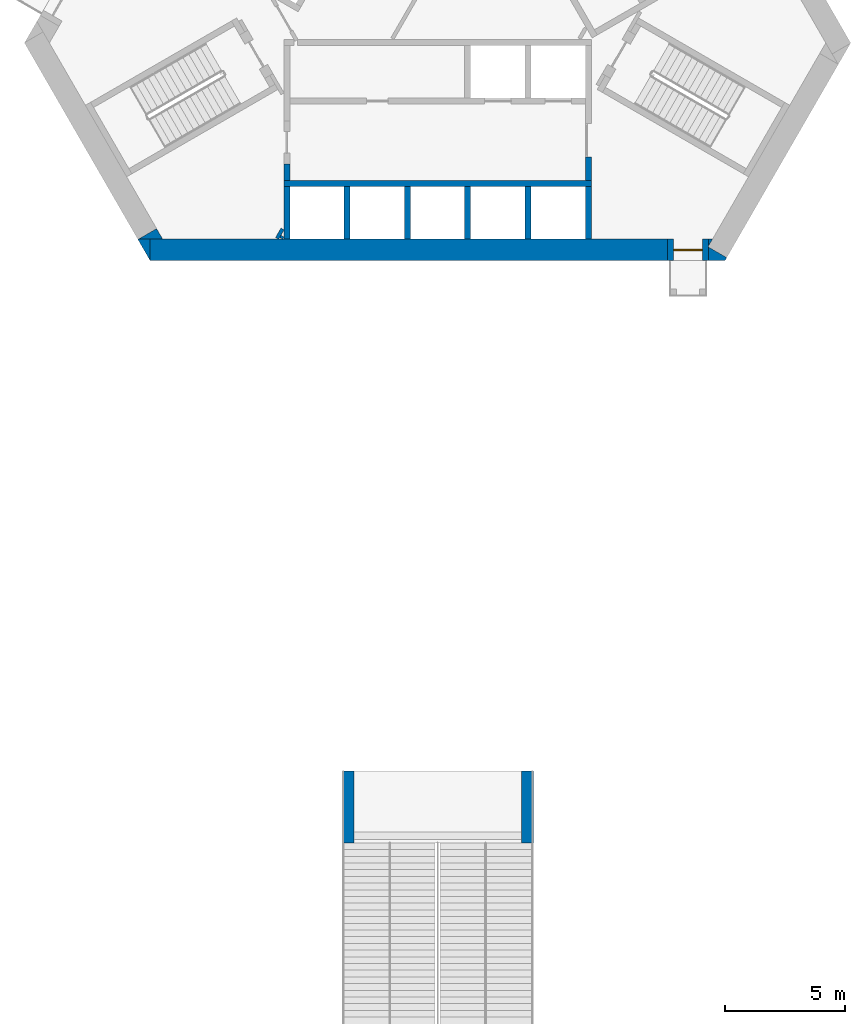
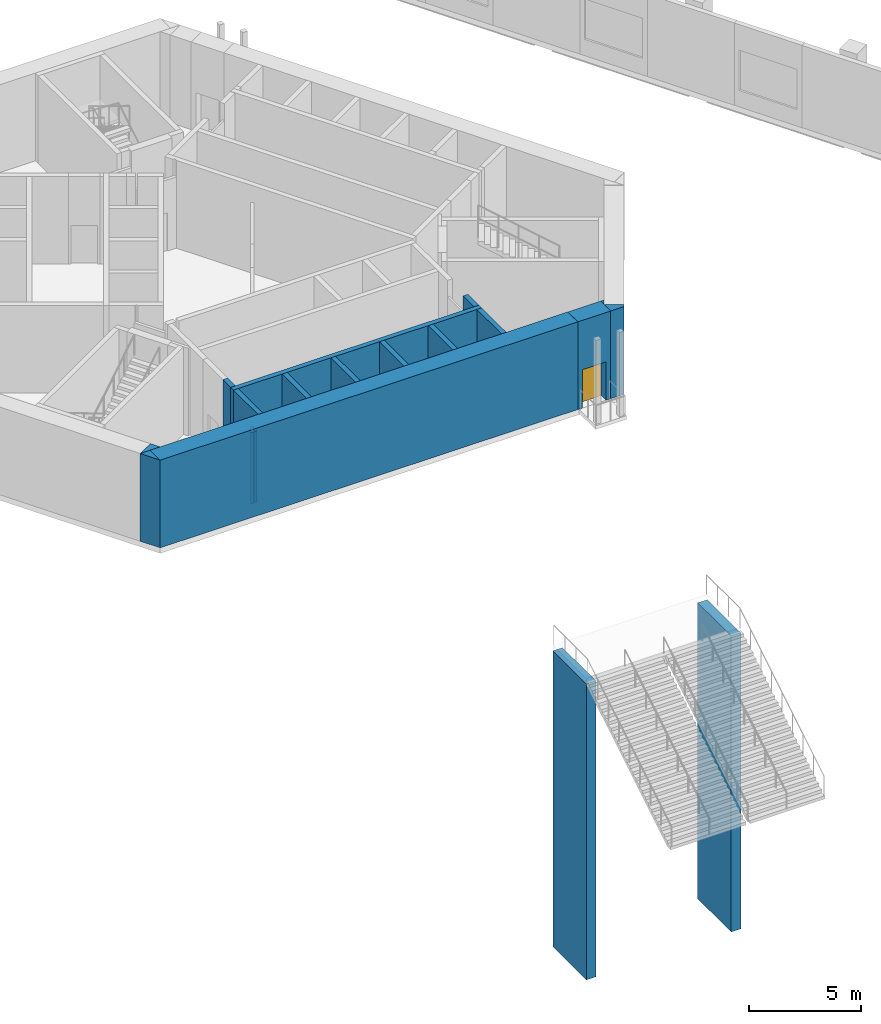
# One storey, part 8 of 28: 19 walls, 1 door, 1 opening.
"""IFC4 building model written with IfcOpenShell, lengths in metres."""

from ifc_helpers import new_model, si_unit, direction, frame, frame_2d, origin, place, context, subcontext, project, spatial, polyline, rectangle, outline, extrude, material, layer, layer_set, type_object, element, fill, save


model = new_model("IFC4")

# Units and contexts
model_context = context("Model", 3, precision=1e-05, world=origin(), true_north=direction((0.0, 1.0)))
body_context = subcontext(model_context, "Body", "Model", "MODEL_VIEW")
ifc_project = project(units=[si_unit("LENGTHUNIT", "METRE"), si_unit("AREAUNIT", "SQUARE_METRE"), si_unit("VOLUMEUNIT", "CUBIC_METRE"), si_unit("PLANEANGLEUNIT", "RADIAN"), si_unit("MASSUNIT", "GRAM", prefix="KILO")], contexts=[model_context])

# Site, building, storey
site_placement = place(None, origin())
site = spatial("IfcSite", under=ifc_project, at=site_placement, CompositionType="ELEMENT")
building_placement = place(site_placement, origin())
building = spatial("IfcBuilding", under=site, at=building_placement, Name="Mestral Congress Tower", CompositionType="ELEMENT")
storey_placement = place(building_placement, frame((0.0, 0.0, 11.39990234375)))
storey = spatial("IfcBuildingStorey", under=building, at=storey_placement, Name="L02", CompositionType="ELEMENT", Elevation=11.39990234375)

# Walls
ifc_material_1 = material(Name="Fire-rated board partition")
ifc_layer_1 = layer(ifc_material_1, 0.14990234375)
ifc_layer_set_1 = layer_set([ifc_layer_1], Name="Fire-rated board partition")
wall_type_1 = type_object("IfcWallType", Name="Core partition 150", PredefinedType="PARTITIONING", material=ifc_layer_set_1)
wall_1_placement = place(storey_placement, frame((-6.707763671875, -12.068115234375, 0.0), z_axis=(0.0, 0.0, 1.0), x_axis=(0.500000789788, 0.8660249478, 0.0)))
element("IfcWall", 1, at=wall_1_placement, inside=storey, type_object=wall_type_1, Name="L02 core wall", PredefinedType="PARTITIONING", context=body_context, shape_type="SweptSolid", body=[
    extrude(rectangle(XDim=0.45556640625, YDim=0.14990234375, at=frame_2d((0.227783203125, 0.0))), origin(), (0.0, 0.0, 1.0), 3.900146484375),
])
wall_2_placement = place(storey_placement, frame((-6.534423828125, -12.068115234375, 0.0), z_axis=(0.0, 0.0, 1.0), x_axis=(0.500240224089, 0.865886665912, 0.0)))
element("IfcWall", 2, at=wall_2_placement, inside=storey, type_object=wall_type_1, Name="L02 core wall", PredefinedType="PARTITIONING", context=body_context, shape_type="SweptSolid", body=[
    extrude(rectangle(XDim=0.10888671875, YDim=0.14990234375, at=frame_2d((0.054443359375, 0.0))), origin(), (0.0, 0.0, 1.0), 3.900146484375),
])
ifc_material_2 = material(Name="Concrete C60/75", Category="concrete")
ifc_layer_2 = layer(ifc_material_2, 0.89990234375)
ifc_layer_set_2 = layer_set([ifc_layer_2], Name="Concrete C60/75")
wall_type_2 = type_object("IfcWallType", Name="Core wall RC 900", PredefinedType="SOLIDWALL", material=ifc_layer_set_2)
placement = place(storey_placement, origin())
element("IfcWall", 3, at=placement, inside=storey, type_object=wall_type_2, Name="L02 core wall", PredefinedType="SOLIDWALL", context=body_context, shape_type="SweptSolid", body=[
    extrude(outline(polyline([(12.0087890625, -13.0), (11.31201171875, -13.0), (11.31201171875, -12.425048828125), (12.08349609375, -12.87060546875), (12.0087890625, -13.0)])), origin(), (0.0, 0.0, 1.0), 4.800048828125),
])
element("IfcWall", 4, at=placement, inside=storey, type_object=wall_type_2, Name="L02 core wall", PredefinedType="SOLIDWALL", context=body_context, shape_type="SweptSolid", body=[
    extrude(outline(polyline([(11.4892578125, -12.10009765625), (11.31201171875, -12.4072265625), (11.31201171875, -12.10009765625), (11.4892578125, -12.10009765625)])), origin(), (0.0, 0.0, 1.0), 4.800048828125),
])
wall_5_placement = place(storey_placement, frame((-12.0185546875, -12.550048828125, 0.0), z_axis=(0.0, 0.0, 1.0), x_axis=(1.0, 0.0, 0.0)))
element("IfcWall", 5, at=wall_5_placement, inside=storey, type_object=wall_type_2, Name="L02 core wall", PredefinedType="SOLIDWALL", context=body_context, shape_type="SweptSolid", body=[
    extrude(rectangle(XDim=21.63037109375, YDim=0.89990234375, at=frame_2d((10.815185546875, 0.0))), origin(), (0.0, 0.0, 1.0), 4.800048828125),
])
element("IfcWall", 6, at=placement, inside=storey, type_object=wall_type_2, Name="L02 core wall", PredefinedType="SOLIDWALL", context=body_context, shape_type="SweptSolid", body=[
    extrude(outline(polyline([(-12.528564453125, -12.10009765625), (-12.0205078125, -12.10009765625), (-12.0205078125, -12.97998046875), (-12.528564453125, -12.10009765625)])), origin(), (0.0, 0.0, 1.0), 4.800048828125),
])
element("IfcWall", 7, at=placement, inside=storey, type_object=wall_type_2, Name="L02 core wall", PredefinedType="SOLIDWALL", context=body_context, shape_type="SweptSolid", body=[
    extrude(outline(polyline([(-11.4892578125, -12.10009765625), (-12.50537109375, -12.10009765625), (-11.743408203125, -11.66015625), (-11.4892578125, -12.10009765625)])), origin(), (0.0, 0.0, 1.0), 4.800048828125),
])

# Wall, opening, door
wall_8_placement = place(storey_placement, frame((11.311767578125, -12.550048828125, 0.0), z_axis=(0.0, 0.0, 1.0), x_axis=(-1.0, 0.0, 0.0)))
wall_8 = element("IfcWall", 8, at=wall_8_placement, inside=storey, type_object=wall_type_2, Name="L02 door wall", PredefinedType="SOLIDWALL", context=body_context, shape_type="SweptSolid", body=[
    extrude(rectangle(XDim=1.699951171875, YDim=0.89990234375, at=frame_2d((0.85009765625, 0.0))), origin(), (0.0, 0.0, 1.0), 4.800048828125),
])
opening_placement = place(wall_8_placement, frame((0.25, 0.0, 0.0)))
opening = element("IfcOpeningElement", 9, at=opening_placement, cuts=wall_8, Name="Opening XD1", PredefinedType="OPENING", context=body_context, shape_type="SweptSolid", body=[
    extrude(rectangle(XDim=1.199951171875, YDim=2.10009765625, at=frame_2d((0.60009765625, 1.050048828125))), frame((0.0, 0.4599609375, 0.0), z_axis=(0.0, -1.0, 0.0), x_axis=(1.0, 0.0, 0.0)), (0.0, 0.0, 1.0), 0.919921875),
])
ifc_material_3 = material(Name="Fire-rated steel door set", Category="steel")
door_type = type_object("IfcDoorType", Name="Core door XD 1200x2100", OperationType="SINGLE_SWING_LEFT", PredefinedType="DOOR", material=ifc_material_3)
door_placement = place(opening_placement, origin())
door = element("IfcDoor", 10, at=door_placement, inside=storey, type_object=door_type, Name="Door XD1", OperationType="SINGLE_SWING_LEFT", OverallHeight=2.10009765625, OverallWidth=1.199951171875, PredefinedType="DOOR", context=body_context, shape_type="SweptSolid", body=[
    extrude(rectangle(XDim=1.199951171875, YDim=2.10009765625, at=frame_2d((0.60009765625, 1.050048828125))), frame((0.0, 0.02490234375, 0.0), z_axis=(0.0, -1.0, 0.0), x_axis=(1.0, 0.0, 0.0)), (0.0, 0.0, 1.0), 0.050048828125),
])
fill(opening, door)

# Walls
ifc_layer_3 = layer(ifc_material_2, 0.25)
ifc_layer_set_3 = layer_set([ifc_layer_3], Name="Concrete C60/75")
wall_type_3 = type_object("IfcWallType", Name="Shaft wall RC 250", PredefinedType="SOLIDWALL", material=ifc_layer_set_3)
wall_9_placement = place(storey_placement, frame((-6.425048828125, -9.77490234375, 0.0), z_axis=(0.0, 0.0, 1.0), x_axis=(1.0, 0.0, 0.0)))
element("IfcWall", 11, at=wall_9_placement, inside=storey, type_object=wall_type_3, Name="L02 core wall", PredefinedType="SOLIDWALL", context=body_context, shape_type="SweptSolid", body=[
    extrude(rectangle(XDim=12.85009765625, YDim=0.25, at=frame_2d((6.425048828125, 0.0))), origin(), (0.0, 0.0, 1.0), 4.800048828125),
])
wall_10_placement = place(storey_placement, frame((-6.300048828125, -9.89990234375, 0.0), z_axis=(0.0, 0.0, 1.0), x_axis=(0.0, -1.0, 0.0)))
element("IfcWall", 12, at=wall_10_placement, inside=storey, type_object=wall_type_3, Name="L02 core wall", PredefinedType="SOLIDWALL", context=body_context, shape_type="SweptSolid", body=[
    extrude(rectangle(XDim=2.2001953125, YDim=0.25, at=frame_2d((1.10009765625, 0.0))), origin(), (0.0, 0.0, 1.0), 4.800048828125),
])
wall_11_placement = place(storey_placement, frame((-6.300048828125, -9.64990234375, 0.0), z_axis=(0.0, 0.0, 1.0), x_axis=(0.0, 1.0, 0.0)))
element("IfcWall", 13, at=wall_11_placement, inside=storey, type_object=wall_type_3, Name="L02 core wall", PredefinedType="SOLIDWALL", context=body_context, shape_type="SweptSolid", body=[
    extrude(rectangle(XDim=0.6953125, YDim=0.25, at=frame_2d((0.34765625, 0.0))), origin(), (0.0, 0.0, 1.0), 4.800048828125),
])
wall_12_placement = place(storey_placement, frame((6.300048828125, -8.672119140625, 0.0), z_axis=(0.0, 0.0, 1.0), x_axis=(0.0, -1.0, 0.0)))
element("IfcWall", 14, at=wall_12_placement, inside=storey, type_object=wall_type_3, Name="L02 core wall", PredefinedType="SOLIDWALL", context=body_context, shape_type="SweptSolid", body=[
    extrude(rectangle(XDim=0.977783203125, YDim=0.25, at=frame_2d((0.48876953125, 0.0))), origin(), (0.0, 0.0, 1.0), 4.800048828125),
])
for number, where, z_axis, x_axis, name in (
    (15, (6.300048828125, -9.89990234375, 0.0), (0.0, 0.0, 1.0), (0.0, -1.0, 0.0), "L02 core wall"),
    (16, (3.780029296875, -9.89990234375, 0.0), (0.0, 0.0, 1.0), (0.0, -1.0, 0.0), "L02 core wall"),
    (17, (1.260009765625, -9.89990234375, 0.0), (0.0, 0.0, 1.0), (0.0, -1.0, 0.0), "L02 core wall"),
    (18, (-1.260009765625, -9.89990234375, 0.0), (0.0, 0.0, 1.0), (0.0, -1.0, 0.0), "L02 core wall"),
    (19, (-3.780029296875, -9.89990234375, 0.0), (0.0, 0.0, 1.0), (0.0, -1.0, 0.0), "L02 core wall"),
):
    element("IfcWall", number, at=place(storey_placement, frame(where, z_axis=z_axis, x_axis=x_axis)), inside=storey, type_object=wall_type_3, Name=name, PredefinedType="SOLIDWALL", context=body_context, shape_type="SweptSolid", body=[
        extrude(rectangle(XDim=2.2001953125, YDim=0.25, at=frame_2d((1.10009765625, 0.0))), origin(), (0.0, 0.0, 1.0), 4.800048828125),
    ])
ifc_material_4 = material(Name="Concrete C35/45", Category="concrete")
ifc_layer_4 = layer(ifc_material_4, 0.5)
ifc_layer_set_4 = layer_set([ifc_layer_4], Name="Concrete C35/45")
wall_type_4 = type_object("IfcWallType", Name="Stair support wall 500 C35/45", PredefinedType="SOLIDWALL", material=ifc_layer_set_4)
for number, where, z_axis, x_axis, name in (
    (20, (-3.75, -37.327880859375, -11.699951171875), (0.0, 0.0, 1.0), (0.0, 1.0, 0.0), "WL-TERR-1-W"),
    (21, (3.75, -37.327880859375, -11.699951171875), (0.0, 0.0, 1.0), (0.0, 1.0, 0.0), "WL-TERR-1-E"),
):
    element("IfcWall", number, at=place(storey_placement, frame(where, z_axis=z_axis, x_axis=x_axis)), inside=storey, type_object=wall_type_4, Name=name, PredefinedType="SOLIDWALL", context=body_context, shape_type="SweptSolid", body=[
        extrude(rectangle(XDim=3.0, YDim=0.5, at=frame_2d((1.5, 0.0))), origin(), (0.0, 0.0, 1.0), 16.199951171875),
    ])

save(model, "model.ifc")
